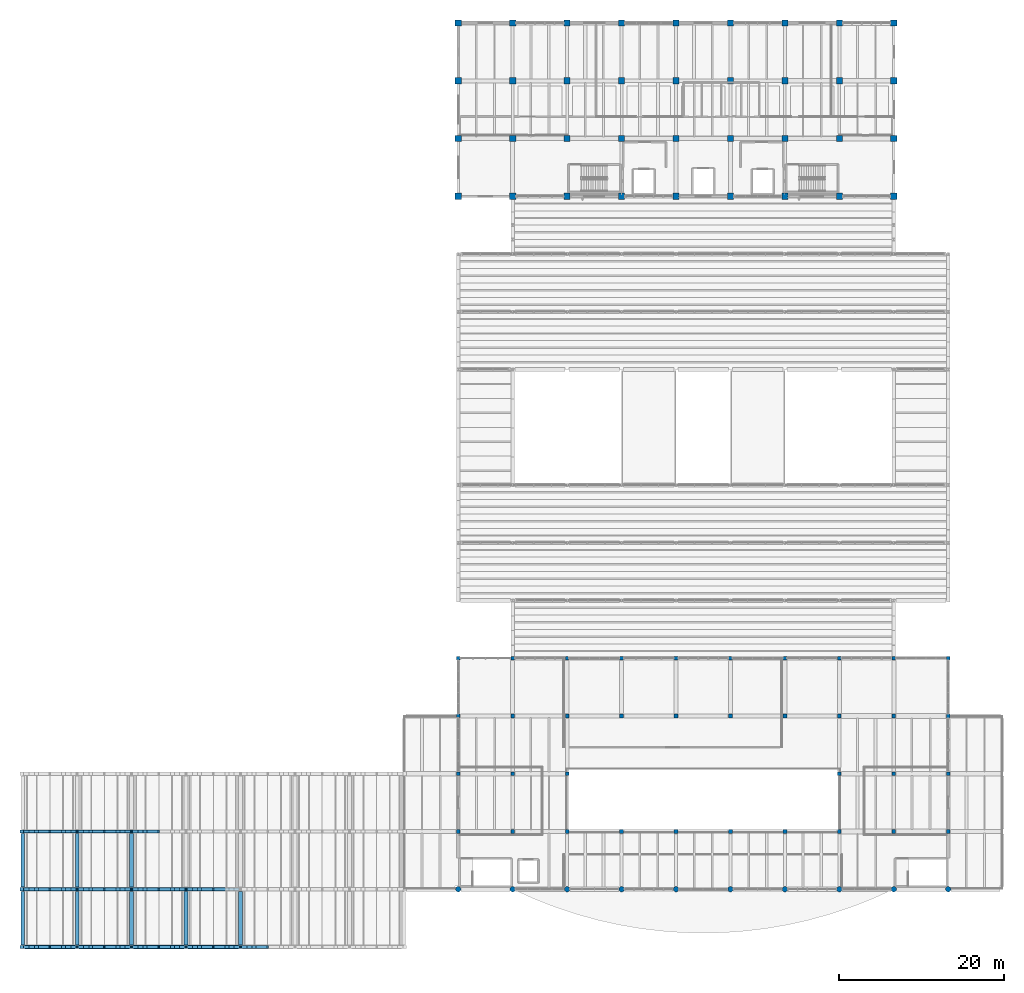
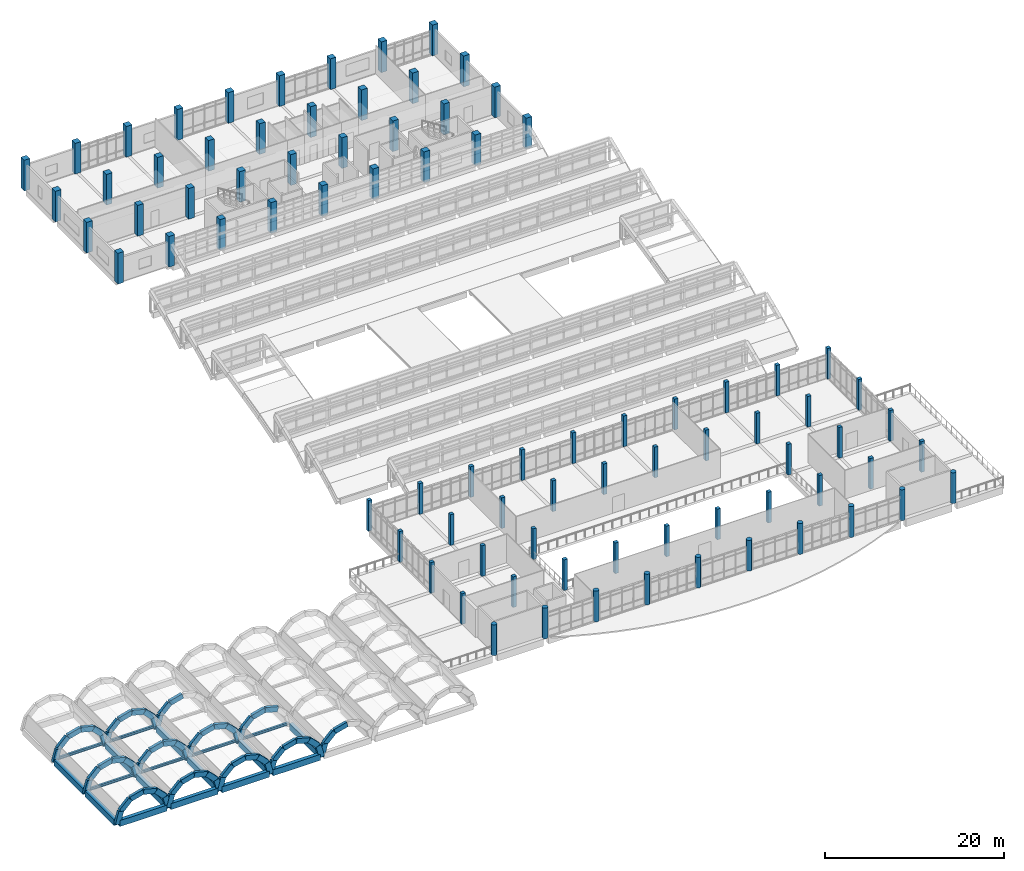
# One storey, part 1 of 92: 82 columns, 76 beams, 6 members.
"""IFC4 building model written with IfcOpenShell, lengths in metres."""

from ifc_helpers import new_model, si_unit, direction, frame, origin, origin_2d, place, context, subcontext, project, spatial, rectangle, circle, i_section, extrude, material, material_profile, profile_set, type_object, element, save


model = new_model("IFC4")

# Units and contexts
model_context = context("Model", 3, precision=1e-05, world=origin(), true_north=direction((0.0, 1.0)))
body_context = subcontext(model_context, "Body", "Model", "MODEL_VIEW")
ifc_project = project(units=[si_unit("LENGTHUNIT", "METRE"), si_unit("AREAUNIT", "SQUARE_METRE"), si_unit("VOLUMEUNIT", "CUBIC_METRE"), si_unit("PLANEANGLEUNIT", "RADIAN"), si_unit("MASSUNIT", "GRAM", prefix="KILO")], contexts=[model_context])

# Site, building, storey
site_placement = place(None, origin())
site = spatial("IfcSite", under=ifc_project, at=site_placement, CompositionType="ELEMENT")
building_placement = place(site_placement, origin())
building = spatial("IfcBuilding", under=site, at=building_placement, Name="Ciguamira Faculty of Natural Sciences", CompositionType="ELEMENT")
storey_placement = place(building_placement, frame((0.0, 0.0, 16.800048828125)))
storey = spatial("IfcBuildingStorey", under=building, at=storey_placement, Name="L04", CompositionType="ELEMENT", Elevation=16.800048828125)

# Columns
ifc_material_1 = material(Name="Concrete C45/55", Category="concrete")
ifc_material_profile_1 = material_profile(ifc_material_1, rectangle(XDim=0.75, YDim=0.75, at=origin_2d()), Name="RC-COL-750X750")
ifc_profile_set_1 = profile_set([ifc_material_profile_1], Name="Concrete C45/55")
column_type_1 = type_object("IfcColumnType", Name="Col_C-04_RC-COL-750X750", PredefinedType="COLUMN", material=ifc_profile_set_1)
for number, where, z_axis, x_axis, name in (
    (1, (57.300048828125, 94.0, 0.0), (0.0, 0.0, 1.0), (1.0, 0.0, 0.0), "L04 column 9/P"),
    (2, (57.300048828125, 101.0, 0.0), (0.0, 0.0, 1.0), (1.0, 0.0, 0.0), "L04 column 9/Q"),
    (3, (57.300048828125, 108.0, 0.0), (0.0, 0.0, 1.0), (1.0, 0.0, 0.0), "L04 column 9/R"),
    (4, (57.300048828125, 115.0, 0.0), (0.0, 0.0, 1.0), (1.0, 0.0, 0.0), "L04 column 9/S"),
    (5, (63.89990234375, 94.0, 0.0), (0.0, 0.0, 1.0), (1.0, 0.0, 0.0), "L04 column 10/P"),
    (6, (63.89990234375, 101.0, 0.0), (0.0, 0.0, 1.0), (1.0, 0.0, 0.0), "L04 column 10/Q"),
    (7, (63.89990234375, 108.0, 0.0), (0.0, 0.0, 1.0), (1.0, 0.0, 0.0), "L04 column 10/R"),
    (8, (63.89990234375, 115.0, 0.0), (0.0, 0.0, 1.0), (1.0, 0.0, 0.0), "L04 column 10/S"),
    (9, (70.5, 94.0, 0.0), (0.0, 0.0, 1.0), (1.0, 0.0, 0.0), "L04 column 11/P"),
    (10, (70.5, 101.0, 0.0), (0.0, 0.0, 1.0), (1.0, 0.0, 0.0), "L04 column 11/Q"),
    (11, (70.5, 108.0, 0.0), (0.0, 0.0, 1.0), (1.0, 0.0, 0.0), "L04 column 11/R"),
    (12, (70.5, 115.0, 0.0), (0.0, 0.0, 1.0), (1.0, 0.0, 0.0), "L04 column 11/S"),
    (13, (77.10009765625, 94.0, 0.0), (0.0, 0.0, 1.0), (1.0, 0.0, 0.0), "L04 column 12/P"),
    (14, (77.10009765625, 101.0, 0.0), (0.0, 0.0, 1.0), (1.0, 0.0, 0.0), "L04 column 12/Q"),
    (15, (77.10009765625, 108.0, 0.0), (0.0, 0.0, 1.0), (1.0, 0.0, 0.0), "L04 column 12/R"),
    (16, (77.10009765625, 115.0, 0.0), (0.0, 0.0, 1.0), (1.0, 0.0, 0.0), "L04 column 12/S"),
    (17, (83.699951171875, 94.0, 0.0), (0.0, 0.0, 1.0), (1.0, 0.0, 0.0), "L04 column 13/P"),
    (18, (83.699951171875, 101.0, 0.0), (0.0, 0.0, 1.0), (1.0, 0.0, 0.0), "L04 column 13/Q"),
    (19, (83.699951171875, 108.0, 0.0), (0.0, 0.0, 1.0), (1.0, 0.0, 0.0), "L04 column 13/R"),
    (20, (83.699951171875, 115.0, 0.0), (0.0, 0.0, 1.0), (1.0, 0.0, 0.0), "L04 column 13/S"),
    (21, (90.300048828125, 94.0, 0.0), (0.0, 0.0, 1.0), (1.0, 0.0, 0.0), "L04 column 14/P"),
    (22, (90.300048828125, 101.0, 0.0), (0.0, 0.0, 1.0), (1.0, 0.0, 0.0), "L04 column 14/Q"),
    (23, (90.300048828125, 108.0, 0.0), (0.0, 0.0, 1.0), (1.0, 0.0, 0.0), "L04 column 14/R"),
    (24, (90.300048828125, 115.0, 0.0), (0.0, 0.0, 1.0), (1.0, 0.0, 0.0), "L04 column 14/S"),
    (25, (96.89990234375, 94.0, 0.0), (0.0, 0.0, 1.0), (1.0, 0.0, 0.0), "L04 column 15/P"),
    (26, (96.89990234375, 101.0, 0.0), (0.0, 0.0, 1.0), (1.0, 0.0, 0.0), "L04 column 15/Q"),
    (27, (96.89990234375, 108.0, 0.0), (0.0, 0.0, 1.0), (1.0, 0.0, 0.0), "L04 column 15/R"),
    (28, (96.89990234375, 115.0, 0.0), (0.0, 0.0, 1.0), (1.0, 0.0, 0.0), "L04 column 15/S"),
    (29, (103.5, 94.0, 0.0), (0.0, 0.0, 1.0), (1.0, 0.0, 0.0), "L04 column 16/P"),
    (30, (103.5, 101.0, 0.0), (0.0, 0.0, 1.0), (1.0, 0.0, 0.0), "L04 column 16/Q"),
    (31, (103.5, 108.0, 0.0), (0.0, 0.0, 1.0), (1.0, 0.0, 0.0), "L04 column 16/R"),
    (32, (103.5, 115.0, 0.0), (0.0, 0.0, 1.0), (1.0, 0.0, 0.0), "L04 column 16/S"),
    (33, (110.10009765625, 94.0, 0.0), (0.0, 0.0, 1.0), (1.0, 0.0, 0.0), "L04 column 17/P"),
    (34, (110.10009765625, 101.0, 0.0), (0.0, 0.0, 1.0), (1.0, 0.0, 0.0), "L04 column 17/Q"),
    (35, (110.10009765625, 108.0, 0.0), (0.0, 0.0, 1.0), (1.0, 0.0, 0.0), "L04 column 17/R"),
    (36, (110.10009765625, 115.0, 0.0), (0.0, 0.0, 1.0), (1.0, 0.0, 0.0), "L04 column 17/S"),
):
    element("IfcColumn", number, at=place(storey_placement, frame(where, z_axis=z_axis, x_axis=x_axis)), inside=storey, type_object=column_type_1, Name=name, PredefinedType="COLUMN", context=body_context, shape_type="SweptSolid", body=[
        extrude(rectangle(XDim=0.75, YDim=0.75, at=origin_2d()), origin(), (0.0, 0.0, 1.0), 4.199951171875),
    ])
ifc_material_2 = material(Name="Concrete C40/50", Category="concrete")
ifc_material_profile_2 = material_profile(ifc_material_2, rectangle(XDim=0.449951171875, YDim=0.449951171875, at=origin_2d()), Name="RC-COL-450X450")
ifc_profile_set_2 = profile_set([ifc_material_profile_2], Name="Concrete C40/50")
column_type_2 = type_object("IfcColumnType", Name="Col_C-10_RC-COL-450X450", PredefinedType="COLUMN", material=ifc_profile_set_2)
for number, where, z_axis, x_axis, name in (
    (37, (57.300048828125, 17.0, 0.0), (0.0, 0.0, 1.0), (1.0, 0.0, 0.0), "L04 column 9/C"),
    (38, (57.300048828125, 24.0, 0.0), (0.0, 0.0, 1.0), (1.0, 0.0, 0.0), "L04 column 9/D"),
    (39, (57.300048828125, 31.0, 0.0), (0.0, 0.0, 1.0), (1.0, 0.0, 0.0), "L04 column 9/E"),
    (40, (57.300048828125, 38.0, 0.0), (0.0, 0.0, 1.0), (1.0, 0.0, 0.0), "L04 column 9/F"),
    (41, (63.89990234375, 17.0, 0.0), (0.0, 0.0, 1.0), (1.0, 0.0, 0.0), "L04 column 10/C"),
    (42, (63.89990234375, 24.0, 0.0), (0.0, 0.0, 1.0), (1.0, 0.0, 0.0), "L04 column 10/D"),
    (43, (63.89990234375, 31.0, 0.0), (0.0, 0.0, 1.0), (1.0, 0.0, 0.0), "L04 column 10/E"),
    (44, (63.89990234375, 38.0, 0.0), (0.0, 0.0, 1.0), (1.0, 0.0, 0.0), "L04 column 10/F"),
    (45, (70.5, 17.0, 0.0), (0.0, 0.0, 1.0), (1.0, 0.0, 0.0), "L04 column 11/C"),
    (46, (70.5, 24.0, 0.0), (0.0, 0.0, 1.0), (1.0, 0.0, 0.0), "L04 column 11/D"),
    (47, (70.5, 31.0, 0.0), (0.0, 0.0, 1.0), (1.0, 0.0, 0.0), "L04 column 11/E"),
    (48, (70.5, 38.0, 0.0), (0.0, 0.0, 1.0), (1.0, 0.0, 0.0), "L04 column 11/F"),
    (49, (77.10009765625, 17.0, 0.0), (0.0, 0.0, 1.0), (1.0, 0.0, 0.0), "L04 column 12/C"),
    (50, (77.10009765625, 31.0, 0.0), (0.0, 0.0, 1.0), (1.0, 0.0, 0.0), "L04 column 12/E"),
    (51, (77.10009765625, 38.0, 0.0), (0.0, 0.0, 1.0), (1.0, 0.0, 0.0), "L04 column 12/F"),
    (52, (83.699951171875, 17.0, 0.0), (0.0, 0.0, 1.0), (1.0, 0.0, 0.0), "L04 column 13/C"),
    (53, (83.699951171875, 31.0, 0.0), (0.0, 0.0, 1.0), (1.0, 0.0, 0.0), "L04 column 13/E"),
    (54, (83.699951171875, 38.0, 0.0), (0.0, 0.0, 1.0), (1.0, 0.0, 0.0), "L04 column 13/F"),
    (55, (90.300048828125, 17.0, 0.0), (0.0, 0.0, 1.0), (1.0, 0.0, 0.0), "L04 column 14/C"),
    (56, (90.300048828125, 31.0, 0.0), (0.0, 0.0, 1.0), (1.0, 0.0, 0.0), "L04 column 14/E"),
    (57, (90.300048828125, 38.0, 0.0), (0.0, 0.0, 1.0), (1.0, 0.0, 0.0), "L04 column 14/F"),
    (58, (96.89990234375, 17.0, 0.0), (0.0, 0.0, 1.0), (1.0, 0.0, 0.0), "L04 column 15/C"),
    (59, (96.89990234375, 31.0, 0.0), (0.0, 0.0, 1.0), (1.0, 0.0, 0.0), "L04 column 15/E"),
    (60, (96.89990234375, 38.0, 0.0), (0.0, 0.0, 1.0), (1.0, 0.0, 0.0), "L04 column 15/F"),
    (61, (103.5, 17.0, 0.0), (0.0, 0.0, 1.0), (1.0, 0.0, 0.0), "L04 column 16/C"),
    (62, (103.5, 24.0, 0.0), (0.0, 0.0, 1.0), (1.0, 0.0, 0.0), "L04 column 16/D"),
    (63, (103.5, 31.0, 0.0), (0.0, 0.0, 1.0), (1.0, 0.0, 0.0), "L04 column 16/E"),
    (64, (103.5, 38.0, 0.0), (0.0, 0.0, 1.0), (1.0, 0.0, 0.0), "L04 column 16/F"),
    (65, (110.10009765625, 17.0, 0.0), (0.0, 0.0, 1.0), (1.0, 0.0, 0.0), "L04 column 17/C"),
    (66, (110.10009765625, 24.0, 0.0), (0.0, 0.0, 1.0), (1.0, 0.0, 0.0), "L04 column 17/D"),
    (67, (110.10009765625, 31.0, 0.0), (0.0, 0.0, 1.0), (1.0, 0.0, 0.0), "L04 column 17/E"),
    (68, (110.10009765625, 38.0, 0.0), (0.0, 0.0, 1.0), (1.0, 0.0, 0.0), "L04 column 17/F"),
    (69, (116.699951171875, 17.0, 0.0), (0.0, 0.0, 1.0), (1.0, 0.0, 0.0), "L04 column 18/C"),
    (70, (116.699951171875, 24.0, 0.0), (0.0, 0.0, 1.0), (1.0, 0.0, 0.0), "L04 column 18/D"),
    (71, (116.699951171875, 31.0, 0.0), (0.0, 0.0, 1.0), (1.0, 0.0, 0.0), "L04 column 18/E"),
    (72, (116.699951171875, 38.0, 0.0), (0.0, 0.0, 1.0), (1.0, 0.0, 0.0), "L04 column 18/F"),
):
    element("IfcColumn", number, at=place(storey_placement, frame(where, z_axis=z_axis, x_axis=x_axis)), inside=storey, type_object=column_type_2, Name=name, PredefinedType="COLUMN", context=body_context, shape_type="SweptSolid", body=[
        extrude(rectangle(XDim=0.449951171875, YDim=0.449951171875, at=origin_2d()), origin(), (0.0, 0.0, 1.0), 4.199951171875),
    ])
ifc_material_profile_3 = material_profile(ifc_material_2, circle(Radius=0.324951171875, at=origin_2d()), Name="RC-RND-650")
ifc_profile_set_3 = profile_set([ifc_material_profile_3], Name="Concrete C40/50")
column_type_3 = type_object("IfcColumnType", Name="Col_C-18_RC-RND-650", PredefinedType="COLUMN", material=ifc_profile_set_3)
for number, where, z_axis, x_axis, name in (
    (73, (57.300048828125, 10.0, 0.0), (0.0, 0.0, 1.0), (1.0, 0.0, 0.0), "L04 column 9/B"),
    (74, (63.89990234375, 10.0, 0.0), (0.0, 0.0, 1.0), (1.0, 0.0, 0.0), "L04 column 10/B"),
    (75, (70.5, 10.0, 0.0), (0.0, 0.0, 1.0), (1.0, 0.0, 0.0), "L04 column 11/B"),
    (76, (77.10009765625, 10.0, 0.0), (0.0, 0.0, 1.0), (1.0, 0.0, 0.0), "L04 column 12/B"),
    (77, (83.699951171875, 10.0, 0.0), (0.0, 0.0, 1.0), (1.0, 0.0, 0.0), "L04 column 13/B"),
    (78, (90.300048828125, 10.0, 0.0), (0.0, 0.0, 1.0), (1.0, 0.0, 0.0), "L04 column 14/B"),
    (79, (96.89990234375, 10.0, 0.0), (0.0, 0.0, 1.0), (1.0, 0.0, 0.0), "L04 column 15/B"),
    (80, (103.5, 10.0, 0.0), (0.0, 0.0, 1.0), (1.0, 0.0, 0.0), "L04 column 16/B"),
    (81, (110.10009765625, 10.0, 0.0), (0.0, 0.0, 1.0), (1.0, 0.0, 0.0), "L04 column 17/B"),
    (82, (116.699951171875, 10.0, 0.0), (0.0, 0.0, 1.0), (1.0, 0.0, 0.0), "L04 column 18/B"),
):
    element("IfcColumn", number, at=place(storey_placement, frame(where, z_axis=z_axis, x_axis=x_axis)), inside=storey, type_object=column_type_3, Name=name, PredefinedType="COLUMN", context=body_context, shape_type="SweptSolid", body=[
        extrude(circle(Radius=0.324951171875, at=origin_2d()), origin(), (0.0, 0.0, 1.0), 4.199951171875),
    ])

# Beams
ifc_material_profile_4 = material_profile(ifc_material_2, rectangle(XDim=0.4599609375, YDim=0.820068359375, at=origin_2d()), Name="RC-BM-460X820")
ifc_profile_set_4 = profile_set([ifc_material_profile_4], Name="Concrete C40/50")
beam_type_1 = type_object("IfcBeamType", Name="RCBeam_BG-04_RC-BM-460X820", PredefinedType="BEAM", material=ifc_profile_set_4)
for number, where, z_axis, x_axis, name in (
    (83, (4.5, 3.25, -0.41015625), (0.0, 1.0, 0.0), (-1.0, 0.0, 0.0), "V2 barrel vault RC valley tie beam 01-3"),
    (84, (4.5, 10.25, -0.41015625), (0.0, 1.0, 0.0), (-1.0, 0.0, 0.0), "V2 barrel vault RC valley tie beam 01-10"),
    (85, (11.10009765625, 3.25, -0.41015625), (0.0, 1.0, 0.0), (-1.0, 0.0, 0.0), "V2 barrel vault RC valley tie beam 02-3"),
    (86, (11.10009765625, 10.25, -0.41015625), (0.0, 1.0, 0.0), (-1.0, 0.0, 0.0), "V2 barrel vault RC valley tie beam 02-10"),
    (87, (17.699951171875, 3.25, -0.41015625), (0.0, 1.0, 0.0), (-1.0, 0.0, 0.0), "V2 barrel vault RC valley tie beam 03-3"),
    (88, (17.699951171875, 10.25, -0.41015625), (0.0, 1.0, 0.0), (-1.0, 0.0, 0.0), "V2 barrel vault RC valley tie beam 03-10"),
    (89, (24.300048828125, 3.25, -0.41015625), (0.0, 1.0, 0.0), (-1.0, 0.0, 0.0), "V2 barrel vault RC valley tie beam 04-3"),
    (90, (30.89990234375, 3.25, -0.41015625), (0.0, 1.0, 0.0), (-1.0, 0.0, 0.0), "V2 barrel vault RC valley tie beam 05-3"),
):
    element("IfcBeam", number, at=place(storey_placement, frame(where, z_axis=z_axis, x_axis=x_axis)), inside=storey, type_object=beam_type_1, Name=name, PredefinedType="BEAM", context=body_context, shape_type="SweptSolid", body=[
        extrude(rectangle(XDim=0.4599609375, YDim=0.820068359375, at=origin_2d()), origin(), (0.0, 0.0, 1.0), 6.5),
    ])
beam_1_placement = place(storey_placement, frame((4.75, 3.0, -0.41015625), z_axis=(1.0, 0.0, 0.0), x_axis=(0.0, 1.0, 0.0)))
element("IfcBeam", 91, at=beam_1_placement, inside=storey, type_object=beam_type_1, Name="V2 barrel vault end ring beam S-01", PredefinedType="BEAM", context=body_context, shape_type="SweptSolid", body=[
    extrude(rectangle(XDim=0.4599609375, YDim=0.820068359375, at=origin_2d()), origin(), (0.0, 0.0, 1.0), 6.10009765625),
])
beam_2_placement = place(storey_placement, frame((11.35009765625, 3.0, -0.41015625), z_axis=(1.0, 0.0, 0.0), x_axis=(0.0, 1.0, 0.0)))
element("IfcBeam", 92, at=beam_2_placement, inside=storey, type_object=beam_type_1, Name="V2 barrel vault end ring beam S-02", PredefinedType="BEAM", context=body_context, shape_type="SweptSolid", body=[
    extrude(rectangle(XDim=0.4599609375, YDim=0.820068359375, at=origin_2d()), origin(), (0.0, 0.0, 1.0), 6.099853515625),
])
beam_3_placement = place(storey_placement, frame((17.949951171875, 3.0, -0.41015625), z_axis=(1.0, 0.0, 0.0), x_axis=(0.0, 1.0, 0.0)))
element("IfcBeam", 93, at=beam_3_placement, inside=storey, type_object=beam_type_1, Name="V2 barrel vault end ring beam S-03", PredefinedType="BEAM", context=body_context, shape_type="SweptSolid", body=[
    extrude(rectangle(XDim=0.4599609375, YDim=0.820068359375, at=origin_2d()), origin(), (0.0, 0.0, 1.0), 6.10009765625),
])
beam_4_placement = place(storey_placement, frame((24.550048828125, 3.0, -0.41015625), z_axis=(1.0, 0.0, 0.0), x_axis=(0.0, 1.0, 0.0)))
element("IfcBeam", 94, at=beam_4_placement, inside=storey, type_object=beam_type_1, Name="V2 barrel vault end ring beam S-04", PredefinedType="BEAM", context=body_context, shape_type="SweptSolid", body=[
    extrude(rectangle(XDim=0.4599609375, YDim=0.820068359375, at=origin_2d()), origin(), (0.0, 0.0, 1.0), 6.099853515625),
])
ifc_material_profile_5 = material_profile(ifc_material_2, rectangle(XDim=0.3798828125, YDim=0.679931640625, at=origin_2d()), Name="RC-BM-380X680")
ifc_profile_set_5 = profile_set([ifc_material_profile_5], Name="Concrete C40/50")
beam_type_2 = type_object("IfcBeamType", Name="RCBeam_BG-09_RC-BM-380X680", PredefinedType="BEAM", material=ifc_profile_set_5)
for number, where, z_axis, x_axis, name in (
    (95, (4.5, 3.0, -0.469970703125), (0.25884563037, 0.0, 0.965918702396), (0.0, 1.0, 0.0), "V2 barrel vault RC arch rib 1-1-3"),
    (96, (4.5, 10.0, -0.469970703125), (0.25884563037, 0.0, 0.965918702396), (0.0, 1.0, 0.0), "V2 barrel vault RC arch rib 1-1-10"),
    (97, (4.5, 17.0, -0.469970703125), (0.25884563037, 0.0, 0.965918702396), (0.0, 1.0, 0.0), "V2 barrel vault RC arch rib 1-1-17"),
):
    element("IfcBeam", number, at=place(storey_placement, frame(where, z_axis=z_axis, x_axis=x_axis)), inside=storey, type_object=beam_type_2, Name=name, PredefinedType="BEAM", context=body_context, shape_type="SweptSolid", body=[
        extrude(rectangle(XDim=0.3798828125, YDim=0.679931640625, at=origin_2d()), origin(), (0.0, 0.0, 1.0), 1.7080078125),
    ])
for number, where, z_axis, x_axis, name in (
    (98, (4.942138671875, 3.0, 1.179931640625), (0.707035316557, 0.0, 0.707178238594), (0.0, 1.0, 0.0), "V2 barrel vault RC arch rib 1-2-3"),
    (99, (4.942138671875, 10.0, 1.179931640625), (0.707035316557, 0.0, 0.707178238594), (0.0, 1.0, 0.0), "V2 barrel vault RC arch rib 1-2-10"),
    (100, (4.942138671875, 17.0, 1.179931640625), (0.707035316557, 0.0, 0.707178238594), (0.0, 1.0, 0.0), "V2 barrel vault RC arch rib 1-2-17"),
    (101, (6.14990234375, 3.0, 2.387939453125), (0.965963995283, 0.0, 0.25867655444), (0.0, 1.0, 0.0), "V2 barrel vault RC arch rib 1-3-3"),
    (102, (6.14990234375, 10.0, 2.387939453125), (0.965963995283, 0.0, 0.25867655444), (0.0, 1.0, 0.0), "V2 barrel vault RC arch rib 1-3-10"),
    (103, (6.14990234375, 17.0, 2.387939453125), (0.965963995283, 0.0, 0.25867655444), (0.0, 1.0, 0.0), "V2 barrel vault RC arch rib 1-3-17"),
):
    element("IfcBeam", number, at=place(storey_placement, frame(where, z_axis=z_axis, x_axis=x_axis)), inside=storey, type_object=beam_type_2, Name=name, PredefinedType="BEAM", context=body_context, shape_type="SweptSolid", body=[
        extrude(rectangle(XDim=0.3798828125, YDim=0.679931640625, at=origin_2d()), origin(), (0.0, 0.0, 1.0), 1.708251953125),
    ])
for number, where, z_axis, x_axis, name in (
    (104, (7.800048828125, 3.0, 2.829833984375), (0.965954430336, 0.0, -0.258712269741), (0.0, 1.0, 0.0), "V2 barrel vault RC arch rib 1-4-3"),
    (105, (7.800048828125, 10.0, 2.829833984375), (0.965954430336, 0.0, -0.258712269741), (0.0, 1.0, 0.0), "V2 barrel vault RC arch rib 1-4-10"),
    (106, (7.800048828125, 17.0, 2.829833984375), (0.965954430336, 0.0, -0.258712269741), (0.0, 1.0, 0.0), "V2 barrel vault RC arch rib 1-4-17"),
):
    element("IfcBeam", number, at=place(storey_placement, frame(where, z_axis=z_axis, x_axis=x_axis)), inside=storey, type_object=beam_type_2, Name=name, PredefinedType="BEAM", context=body_context, shape_type="SweptSolid", body=[
        extrude(rectangle(XDim=0.3798828125, YDim=0.679931640625, at=origin_2d()), origin(), (0.0, 0.0, 1.0), 1.7080078125),
    ])
for number, where, z_axis, x_axis, name in (
    (107, (9.449951171875, 3.0, 2.387939453125), (0.707106781187, 0.0, -0.707106781187), (0.0, 1.0, 0.0), "V2 barrel vault RC arch rib 1-5-3"),
    (108, (9.449951171875, 10.0, 2.387939453125), (0.707106781187, 0.0, -0.707106781187), (0.0, 1.0, 0.0), "V2 barrel vault RC arch rib 1-5-10"),
    (109, (9.449951171875, 17.0, 2.387939453125), (0.707106781187, 0.0, -0.707106781187), (0.0, 1.0, 0.0), "V2 barrel vault RC arch rib 1-5-17"),
):
    element("IfcBeam", number, at=place(storey_placement, frame(where, z_axis=z_axis, x_axis=x_axis)), inside=storey, type_object=beam_type_2, Name=name, PredefinedType="BEAM", context=body_context, shape_type="SweptSolid", body=[
        extrude(rectangle(XDim=0.3798828125, YDim=0.679931640625, at=origin_2d()), origin(), (0.0, 0.0, 1.0), 1.70849609375),
    ])
for number, where, z_axis, x_axis, name in (
    (110, (10.657958984375, 3.0, 1.179931640625), (0.25884563037, 0.0, -0.965918702396), (0.0, 1.0, 0.0), "V2 barrel vault RC arch rib 1-6-3"),
    (111, (10.657958984375, 10.0, 1.179931640625), (0.25884563037, 0.0, -0.965918702396), (0.0, 1.0, 0.0), "V2 barrel vault RC arch rib 1-6-10"),
    (112, (10.657958984375, 17.0, 1.179931640625), (0.25884563037, 0.0, -0.965918702396), (0.0, 1.0, 0.0), "V2 barrel vault RC arch rib 1-6-17"),
    (113, (11.10009765625, 3.0, -0.469970703125), (0.258712269741, 0.0, 0.965954430336), (0.0, 1.0, 0.0), "V2 barrel vault RC arch rib 2-1-3"),
    (114, (11.10009765625, 10.0, -0.469970703125), (0.258712269741, 0.0, 0.965954430336), (0.0, 1.0, 0.0), "V2 barrel vault RC arch rib 2-1-10"),
    (115, (11.10009765625, 17.0, -0.469970703125), (0.258712269741, 0.0, 0.965954430336), (0.0, 1.0, 0.0), "V2 barrel vault RC arch rib 2-1-17"),
):
    element("IfcBeam", number, at=place(storey_placement, frame(where, z_axis=z_axis, x_axis=x_axis)), inside=storey, type_object=beam_type_2, Name=name, PredefinedType="BEAM", context=body_context, shape_type="SweptSolid", body=[
        extrude(rectangle(XDim=0.3798828125, YDim=0.679931640625, at=origin_2d()), origin(), (0.0, 0.0, 1.0), 1.7080078125),
    ])
for number, where, z_axis, x_axis, name in (
    (116, (11.5419921875, 3.0, 1.179931640625), (0.707106781187, 0.0, 0.707106781187), (0.0, 1.0, 0.0), "V2 barrel vault RC arch rib 2-2-3"),
    (117, (11.5419921875, 10.0, 1.179931640625), (0.707106781187, 0.0, 0.707106781187), (0.0, 1.0, 0.0), "V2 barrel vault RC arch rib 2-2-10"),
    (118, (11.5419921875, 17.0, 1.179931640625), (0.707106781187, 0.0, 0.707106781187), (0.0, 1.0, 0.0), "V2 barrel vault RC arch rib 2-2-17"),
):
    element("IfcBeam", number, at=place(storey_placement, frame(where, z_axis=z_axis, x_axis=x_axis)), inside=storey, type_object=beam_type_2, Name=name, PredefinedType="BEAM", context=body_context, shape_type="SweptSolid", body=[
        extrude(rectangle(XDim=0.3798828125, YDim=0.679931640625, at=origin_2d()), origin(), (0.0, 0.0, 1.0), 1.70849609375),
    ])
for number, where, z_axis, x_axis, name in (
    (119, (12.75, 3.0, 2.387939453125), (0.965954430336, 0.0, 0.258712269741), (0.0, 1.0, 0.0), "V2 barrel vault RC arch rib 2-3-3"),
    (120, (12.75, 10.0, 2.387939453125), (0.965954430336, 0.0, 0.258712269741), (0.0, 1.0, 0.0), "V2 barrel vault RC arch rib 2-3-10"),
    (121, (12.75, 17.0, 2.387939453125), (0.965954430336, 0.0, 0.258712269741), (0.0, 1.0, 0.0), "V2 barrel vault RC arch rib 2-3-17"),
):
    element("IfcBeam", number, at=place(storey_placement, frame(where, z_axis=z_axis, x_axis=x_axis)), inside=storey, type_object=beam_type_2, Name=name, PredefinedType="BEAM", context=body_context, shape_type="SweptSolid", body=[
        extrude(rectangle(XDim=0.3798828125, YDim=0.679931640625, at=origin_2d()), origin(), (0.0, 0.0, 1.0), 1.7080078125),
    ])
for number, where, z_axis, x_axis, name in (
    (122, (14.39990234375, 3.0, 2.829833984375), (0.965963995283, 0.0, -0.25867655444), (0.0, 1.0, 0.0), "V2 barrel vault RC arch rib 2-4-3"),
    (123, (14.39990234375, 10.0, 2.829833984375), (0.965963995283, 0.0, -0.25867655444), (0.0, 1.0, 0.0), "V2 barrel vault RC arch rib 2-4-10"),
    (124, (14.39990234375, 17.0, 2.829833984375), (0.965963995283, 0.0, -0.25867655444), (0.0, 1.0, 0.0), "V2 barrel vault RC arch rib 2-4-17"),
    (125, (16.050048828125, 3.0, 2.387939453125), (0.707035316557, 0.0, -0.707178238594), (0.0, 1.0, 0.0), "V2 barrel vault RC arch rib 2-5-3"),
    (126, (16.050048828125, 10.0, 2.387939453125), (0.707035316557, 0.0, -0.707178238594), (0.0, 1.0, 0.0), "V2 barrel vault RC arch rib 2-5-10"),
    (127, (16.050048828125, 17.0, 2.387939453125), (0.707035316557, 0.0, -0.707178238594), (0.0, 1.0, 0.0), "V2 barrel vault RC arch rib 2-5-17"),
):
    element("IfcBeam", number, at=place(storey_placement, frame(where, z_axis=z_axis, x_axis=x_axis)), inside=storey, type_object=beam_type_2, Name=name, PredefinedType="BEAM", context=body_context, shape_type="SweptSolid", body=[
        extrude(rectangle(XDim=0.3798828125, YDim=0.679931640625, at=origin_2d()), origin(), (0.0, 0.0, 1.0), 1.708251953125),
    ])
for number, where, z_axis, x_axis, name in (
    (128, (17.2578125, 3.0, 1.179931640625), (0.25884563037, 0.0, -0.965918702396), (0.0, 1.0, 0.0), "V2 barrel vault RC arch rib 2-6-3"),
    (129, (17.2578125, 10.0, 1.179931640625), (0.25884563037, 0.0, -0.965918702396), (0.0, 1.0, 0.0), "V2 barrel vault RC arch rib 2-6-10"),
    (130, (17.2578125, 17.0, 1.179931640625), (0.25884563037, 0.0, -0.965918702396), (0.0, 1.0, 0.0), "V2 barrel vault RC arch rib 2-6-17"),
    (131, (17.699951171875, 3.0, -0.469970703125), (0.25884563037, 0.0, 0.965918702396), (0.0, 1.0, 0.0), "V2 barrel vault RC arch rib 3-1-3"),
    (132, (17.699951171875, 10.0, -0.469970703125), (0.25884563037, 0.0, 0.965918702396), (0.0, 1.0, 0.0), "V2 barrel vault RC arch rib 3-1-10"),
    (133, (17.699951171875, 17.0, -0.469970703125), (0.25884563037, 0.0, 0.965918702396), (0.0, 1.0, 0.0), "V2 barrel vault RC arch rib 3-1-17"),
):
    element("IfcBeam", number, at=place(storey_placement, frame(where, z_axis=z_axis, x_axis=x_axis)), inside=storey, type_object=beam_type_2, Name=name, PredefinedType="BEAM", context=body_context, shape_type="SweptSolid", body=[
        extrude(rectangle(XDim=0.3798828125, YDim=0.679931640625, at=origin_2d()), origin(), (0.0, 0.0, 1.0), 1.7080078125),
    ])
for number, where, z_axis, x_axis, name in (
    (134, (18.14208984375, 3.0, 1.179931640625), (0.707106781187, 0.0, 0.707106781187), (0.0, 1.0, 0.0), "V2 barrel vault RC arch rib 3-2-3"),
    (135, (18.14208984375, 10.0, 1.179931640625), (0.707106781187, 0.0, 0.707106781187), (0.0, 1.0, 0.0), "V2 barrel vault RC arch rib 3-2-10"),
    (136, (18.14208984375, 17.0, 1.179931640625), (0.707106781187, 0.0, 0.707106781187), (0.0, 1.0, 0.0), "V2 barrel vault RC arch rib 3-2-17"),
):
    element("IfcBeam", number, at=place(storey_placement, frame(where, z_axis=z_axis, x_axis=x_axis)), inside=storey, type_object=beam_type_2, Name=name, PredefinedType="BEAM", context=body_context, shape_type="SweptSolid", body=[
        extrude(rectangle(XDim=0.3798828125, YDim=0.679931640625, at=origin_2d()), origin(), (0.0, 0.0, 1.0), 1.70849609375),
    ])
for number, where, z_axis, x_axis, name in (
    (137, (19.35009765625, 3.0, 2.387939453125), (0.965954430336, 0.0, 0.258712269741), (0.0, 1.0, 0.0), "V2 barrel vault RC arch rib 3-3-3"),
    (138, (19.35009765625, 10.0, 2.387939453125), (0.965954430336, 0.0, 0.258712269741), (0.0, 1.0, 0.0), "V2 barrel vault RC arch rib 3-3-10"),
    (139, (19.35009765625, 17.0, 2.387939453125), (0.965954430336, 0.0, 0.258712269741), (0.0, 1.0, 0.0), "V2 barrel vault RC arch rib 3-3-17"),
    (140, (21.0, 3.0, 2.829833984375), (0.965954430336, 0.0, -0.258712269741), (0.0, 1.0, 0.0), "V2 barrel vault RC arch rib 3-4-3"),
    (141, (21.0, 10.0, 2.829833984375), (0.965954430336, 0.0, -0.258712269741), (0.0, 1.0, 0.0), "V2 barrel vault RC arch rib 3-4-10"),
):
    element("IfcBeam", number, at=place(storey_placement, frame(where, z_axis=z_axis, x_axis=x_axis)), inside=storey, type_object=beam_type_2, Name=name, PredefinedType="BEAM", context=body_context, shape_type="SweptSolid", body=[
        extrude(rectangle(XDim=0.3798828125, YDim=0.679931640625, at=origin_2d()), origin(), (0.0, 0.0, 1.0), 1.7080078125),
    ])
for number, where, z_axis, x_axis, name in (
    (142, (22.64990234375, 3.0, 2.387939453125), (0.707106781187, 0.0, -0.707106781187), (0.0, 1.0, 0.0), "V2 barrel vault RC arch rib 3-5-3"),
    (143, (22.64990234375, 10.0, 2.387939453125), (0.707106781187, 0.0, -0.707106781187), (0.0, 1.0, 0.0), "V2 barrel vault RC arch rib 3-5-10"),
):
    element("IfcBeam", number, at=place(storey_placement, frame(where, z_axis=z_axis, x_axis=x_axis)), inside=storey, type_object=beam_type_2, Name=name, PredefinedType="BEAM", context=body_context, shape_type="SweptSolid", body=[
        extrude(rectangle(XDim=0.3798828125, YDim=0.679931640625, at=origin_2d()), origin(), (0.0, 0.0, 1.0), 1.70849609375),
    ])
for number, where, z_axis, x_axis, name in (
    (144, (23.85791015625, 3.0, 1.179931640625), (0.25884563037, 0.0, -0.965918702396), (0.0, 1.0, 0.0), "V2 barrel vault RC arch rib 3-6-3"),
    (145, (23.85791015625, 10.0, 1.179931640625), (0.25884563037, 0.0, -0.965918702396), (0.0, 1.0, 0.0), "V2 barrel vault RC arch rib 3-6-10"),
    (146, (24.300048828125, 3.0, -0.469970703125), (0.25884563037, 0.0, 0.965918702396), (0.0, 1.0, 0.0), "V2 barrel vault RC arch rib 4-1-3"),
    (147, (24.300048828125, 10.0, -0.469970703125), (0.25884563037, 0.0, 0.965918702396), (0.0, 1.0, 0.0), "V2 barrel vault RC arch rib 4-1-10"),
):
    element("IfcBeam", number, at=place(storey_placement, frame(where, z_axis=z_axis, x_axis=x_axis)), inside=storey, type_object=beam_type_2, Name=name, PredefinedType="BEAM", context=body_context, shape_type="SweptSolid", body=[
        extrude(rectangle(XDim=0.3798828125, YDim=0.679931640625, at=origin_2d()), origin(), (0.0, 0.0, 1.0), 1.7080078125),
    ])
for number, where, z_axis, x_axis, name in (
    (148, (24.7421875, 3.0, 1.179931640625), (0.707035316557, 0.0, 0.707178238594), (0.0, 1.0, 0.0), "V2 barrel vault RC arch rib 4-2-3"),
    (149, (24.7421875, 10.0, 1.179931640625), (0.707035316557, 0.0, 0.707178238594), (0.0, 1.0, 0.0), "V2 barrel vault RC arch rib 4-2-10"),
    (150, (25.949951171875, 3.0, 2.387939453125), (0.965963995283, 0.0, 0.25867655444), (0.0, 1.0, 0.0), "V2 barrel vault RC arch rib 4-3-3"),
    (151, (25.949951171875, 10.0, 2.387939453125), (0.965963995283, 0.0, 0.25867655444), (0.0, 1.0, 0.0), "V2 barrel vault RC arch rib 4-3-10"),
):
    element("IfcBeam", number, at=place(storey_placement, frame(where, z_axis=z_axis, x_axis=x_axis)), inside=storey, type_object=beam_type_2, Name=name, PredefinedType="BEAM", context=body_context, shape_type="SweptSolid", body=[
        extrude(rectangle(XDim=0.3798828125, YDim=0.679931640625, at=origin_2d()), origin(), (0.0, 0.0, 1.0), 1.708251953125),
    ])
for number, where, z_axis, x_axis, name in (
    (152, (27.60009765625, 3.0, 2.829833984375), (0.965954430336, 0.0, -0.258712269741), (0.0, 1.0, 0.0), "V2 barrel vault RC arch rib 4-4-3"),
    (153, (27.60009765625, 10.0, 2.829833984375), (0.965954430336, 0.0, -0.258712269741), (0.0, 1.0, 0.0), "V2 barrel vault RC arch rib 4-4-10"),
):
    element("IfcBeam", number, at=place(storey_placement, frame(where, z_axis=z_axis, x_axis=x_axis)), inside=storey, type_object=beam_type_2, Name=name, PredefinedType="BEAM", context=body_context, shape_type="SweptSolid", body=[
        extrude(rectangle(XDim=0.3798828125, YDim=0.679931640625, at=origin_2d()), origin(), (0.0, 0.0, 1.0), 1.7080078125),
    ])
beam_5_placement = place(storey_placement, frame((29.25, 3.0, 2.387939453125), z_axis=(0.707106781187, 0.0, -0.707106781187), x_axis=(0.0, 1.0, 0.0)))
element("IfcBeam", 154, at=beam_5_placement, inside=storey, type_object=beam_type_2, Name="V2 barrel vault RC arch rib 4-5-3", PredefinedType="BEAM", context=body_context, shape_type="SweptSolid", body=[
    extrude(rectangle(XDim=0.3798828125, YDim=0.679931640625, at=origin_2d()), origin(), (0.0, 0.0, 1.0), 1.70849609375),
])
for number, where, z_axis, x_axis, name in (
    (155, (30.4580078125, 3.0, 1.179931640625), (0.258712269741, 0.0, -0.965954430336), (0.0, 1.0, 0.0), "V2 barrel vault RC arch rib 4-6-3"),
    (156, (30.89990234375, 3.0, -0.469970703125), (0.25884563037, 0.0, 0.965918702396), (0.0, 1.0, 0.0), "V2 barrel vault RC arch rib 5-1-3"),
):
    element("IfcBeam", number, at=place(storey_placement, frame(where, z_axis=z_axis, x_axis=x_axis)), inside=storey, type_object=beam_type_2, Name=name, PredefinedType="BEAM", context=body_context, shape_type="SweptSolid", body=[
        extrude(rectangle(XDim=0.3798828125, YDim=0.679931640625, at=origin_2d()), origin(), (0.0, 0.0, 1.0), 1.7080078125),
    ])
beam_6_placement = place(storey_placement, frame((31.342041015625, 3.0, 1.179931640625), z_axis=(0.707106781187, 0.0, 0.707106781187), x_axis=(0.0, 1.0, 0.0)))
element("IfcBeam", 157, at=beam_6_placement, inside=storey, type_object=beam_type_2, Name="V2 barrel vault RC arch rib 5-2-3", PredefinedType="BEAM", context=body_context, shape_type="SweptSolid", body=[
    extrude(rectangle(XDim=0.3798828125, YDim=0.679931640625, at=origin_2d()), origin(), (0.0, 0.0, 1.0), 1.70849609375),
])
beam_7_placement = place(storey_placement, frame((32.550048828125, 3.0, 2.387939453125), z_axis=(0.965954430336, 0.0, 0.258712269741), x_axis=(0.0, 1.0, 0.0)))
element("IfcBeam", 158, at=beam_7_placement, inside=storey, type_object=beam_type_2, Name="V2 barrel vault RC arch rib 5-3-3", PredefinedType="BEAM", context=body_context, shape_type="SweptSolid", body=[
    extrude(rectangle(XDim=0.3798828125, YDim=0.679931640625, at=origin_2d()), origin(), (0.0, 0.0, 1.0), 1.7080078125),
])

# Members
ifc_material_3 = material(Name="Steel ASTM A992 Grade 50", Category="steel")
ifc_material_profile_6 = material_profile(ifc_material_3, i_section(OverallWidth=0.25390625, OverallDepth=0.355712890625, WebThickness=0.010498046875, FlangeThickness=0.018310546875, at=origin_2d()), Name="W14X68")
ifc_profile_set_6 = profile_set([ifc_material_profile_6], Name="Steel ASTM A992 Grade 50")
member_type = type_object("IfcMemberType", Name="SteelMember_TC-04_W14X68", PredefinedType="CHORD", material=ifc_profile_set_6)
for number, where, z_axis, x_axis, name in (
    (159, (4.64990234375, 10.0, -0.150146484375), (1.0, 0.0, 0.0), (0.0, 1.0, 0.0), "V2 barrel vault tension tie 01-10"),
    (160, (4.64990234375, 17.0, -0.150146484375), (1.0, 0.0, 0.0), (0.0, 1.0, 0.0), "V2 barrel vault tension tie 01-17"),
    (161, (11.25, 10.0, -0.150146484375), (1.0, 0.0, 0.0), (0.0, 1.0, 0.0), "V2 barrel vault tension tie 02-10"),
    (162, (11.25, 17.0, -0.150146484375), (1.0, 0.0, 0.0), (0.0, 1.0, 0.0), "V2 barrel vault tension tie 02-17"),
):
    element("IfcMember", number, at=place(storey_placement, frame(where, z_axis=z_axis, x_axis=x_axis)), inside=storey, type_object=member_type, Name=name, PredefinedType="CHORD", context=body_context, shape_type="SweptSolid", body=[
        extrude(i_section(OverallWidth=0.25390625, OverallDepth=0.355712890625, WebThickness=0.010498046875, FlangeThickness=0.018310546875, at=origin_2d()), origin(), (0.0, 0.0, 1.0), 6.300048828125),
    ])
member_1_placement = place(storey_placement, frame((17.85009765625, 10.0, -0.150146484375), z_axis=(1.0, 0.0, 0.0), x_axis=(0.0, 1.0, 0.0)))
element("IfcMember", 163, at=member_1_placement, inside=storey, type_object=member_type, Name="V2 barrel vault tension tie 03-10", PredefinedType="CHORD", context=body_context, shape_type="SweptSolid", body=[
    extrude(i_section(OverallWidth=0.25390625, OverallDepth=0.355712890625, WebThickness=0.010498046875, FlangeThickness=0.018310546875, at=origin_2d()), origin(), (0.0, 0.0, 1.0), 6.2998046875),
])
member_2_placement = place(storey_placement, frame((24.449951171875, 10.0, -0.150146484375), z_axis=(1.0, 0.0, 0.0), x_axis=(0.0, 1.0, 0.0)))
element("IfcMember", 164, at=member_2_placement, inside=storey, type_object=member_type, Name="V2 barrel vault tension tie 04-10", PredefinedType="CHORD", context=body_context, shape_type="SweptSolid", body=[
    extrude(i_section(OverallWidth=0.25390625, OverallDepth=0.355712890625, WebThickness=0.010498046875, FlangeThickness=0.018310546875, at=origin_2d()), origin(), (0.0, 0.0, 1.0), 6.300048828125),
])

save(model, "model.ifc")
